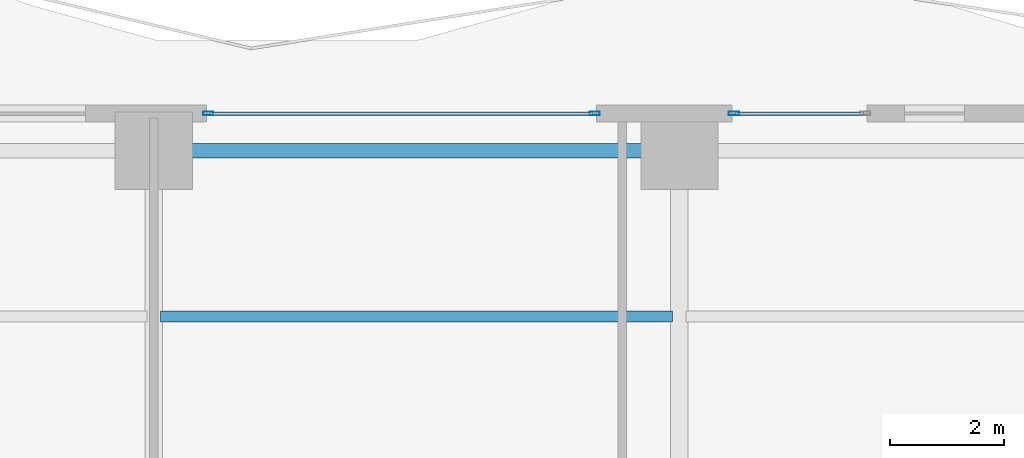
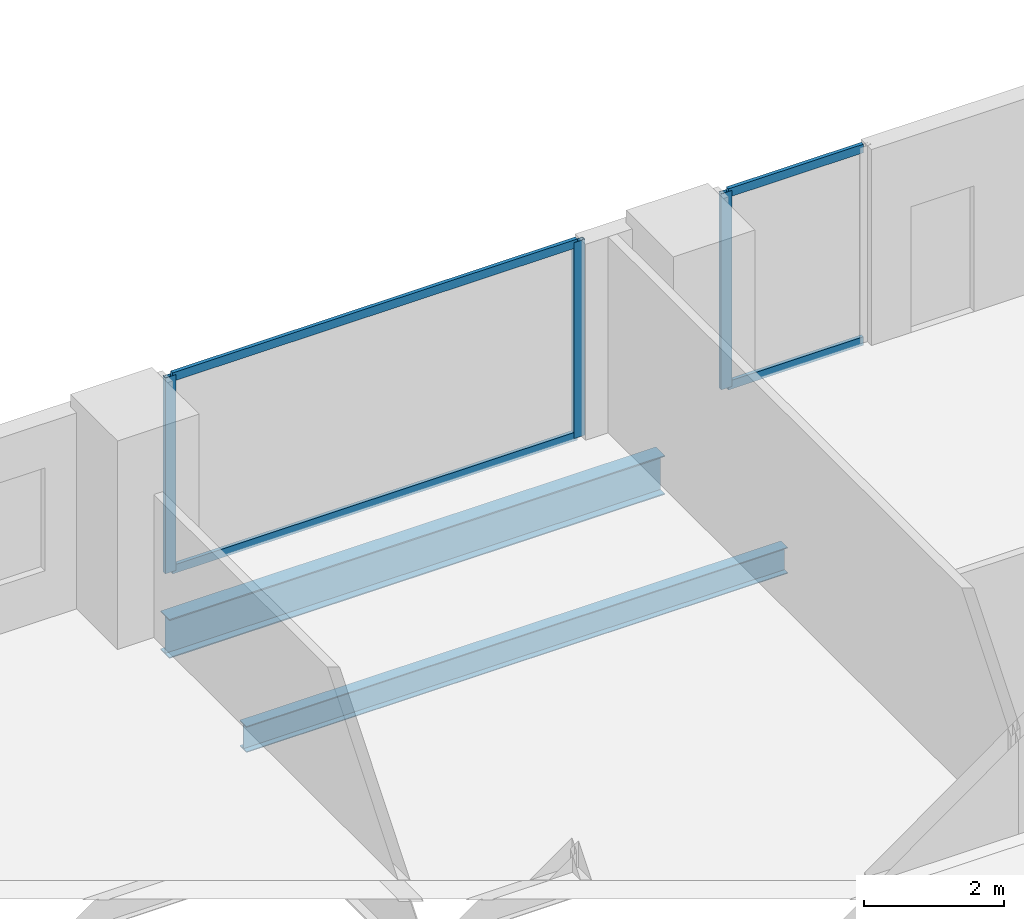
# One storey, part 16 of 27: 7 members, 2 beams, 2 elements without a shape of their own.
"""IFC4 building model written with IfcOpenShell, lengths in metres."""

from ifc_helpers import new_model, si_unit, direction, frame, origin, origin_2d, place, context, subcontext, project, spatial, hollow_rectangle, i_section, extrude, material, layer, layer_set, material_profile, profile_set, type_object, element, aggregate, save


model = new_model("IFC4")

# Units and contexts
model_context = context("Model", 3, precision=1e-05, world=origin(), true_north=direction((0.0, 1.0)))
body_context = subcontext(model_context, "Body", "Model", "MODEL_VIEW")
ifc_project = project(units=[si_unit("LENGTHUNIT", "METRE"), si_unit("AREAUNIT", "SQUARE_METRE"), si_unit("VOLUMEUNIT", "CUBIC_METRE"), si_unit("PLANEANGLEUNIT", "RADIAN"), si_unit("MASSUNIT", "GRAM", prefix="KILO")], contexts=[model_context])

# Site, building, storey
site_placement = place(None, origin())
site = spatial("IfcSite", under=ifc_project, at=site_placement, CompositionType="ELEMENT")
building_placement = place(site_placement, origin())
building = spatial("IfcBuilding", under=site, at=building_placement, Name="Zuhayl Quay Hotel", CompositionType="ELEMENT")
storey_placement = place(building_placement, frame((0.0, 0.0, 124.85009765625)))
storey = spatial("IfcBuildingStorey", under=building, at=storey_placement, Name="L31", CompositionType="ELEMENT", Elevation=124.85009765625)

# Beams
ifc_material_1 = material(Name="Steel ASTM A992 Grade 50", Category="steel")
ifc_material_profile_1 = material_profile(ifc_material_1, i_section(OverallWidth=0.25390625, OverallDepth=0.68310546875, WebThickness=0.012451171875, FlangeThickness=0.018798828125, at=origin_2d()), Name="W27X94")
ifc_profile_set_1 = profile_set([ifc_material_profile_1], Name="Steel ASTM A992 Grade 50")
beam_type_1 = type_object("IfcBeamType", Name="BM_B2_W27X94", PredefinedType="BEAM", material=ifc_profile_set_1)
beam_1_placement = place(storey_placement, frame((4.10009765625, 27.75, -0.5615234375), z_axis=(-1.0, 0.0, 0.0), x_axis=(0.0, -1.0, 0.0)))
element("IfcBeam", 1, at=beam_1_placement, inside=storey, type_object=beam_type_1, Name="L31 Floor Beam RG_L31_08", PredefinedType="BEAM", context=body_context, shape_type="SweptSolid", body=[
    extrude(i_section(OverallWidth=0.25390625, OverallDepth=0.68310546875, WebThickness=0.012451171875, FlangeThickness=0.018798828125, at=origin_2d()), origin(), (0.0, 0.0, 1.0), 8.2001953125),
])
ifc_material_profile_2 = material_profile(ifc_material_1, i_section(OverallWidth=0.18994140625, OverallDepth=0.45703125, WebThickness=0.009033203125, FlangeThickness=0.014404296875, at=origin_2d()), Name="W18X50")
ifc_profile_set_2 = profile_set([ifc_material_profile_2], Name="Steel ASTM A992 Grade 50")
beam_type_2 = type_object("IfcBeamType", Name="BM_J2_W18X50", PredefinedType="JOIST", material=ifc_profile_set_2)
beam_2_placement = place(storey_placement, frame((-4.48095703125, 24.85009765625, -0.448486328125), z_axis=(1.0, 0.0, 0.0), x_axis=(0.0, 1.0, 0.0)))
element("IfcBeam", 2, at=beam_2_placement, inside=storey, type_object=beam_type_2, Name="L31 Floor Beam FJ_L31_4_2", PredefinedType="JOIST", context=body_context, shape_type="SweptSolid", body=[
    extrude(i_section(OverallWidth=0.18994140625, OverallDepth=0.45703125, WebThickness=0.009033203125, FlangeThickness=0.014404296875, at=origin_2d()), origin(), (0.0, 0.0, 1.0), 8.9619140625),
])

# Curtain wall, members
ifc_material_2 = material(Name="Anodised Aluminium 6063-T6", Category="aluminium")
ifc_layer = layer(ifc_material_2, 0.179931640625, Name="Anodised Aluminium 6063-T6", Category="aluminium")
ifc_layer_set = layer_set([ifc_layer], Name="Anodised Aluminium 6063-T6")
curtain_wall_type = type_object("IfcCurtainWallType", Name="CW_SYS_Z2", PredefinedType="USERDEFINED", material=ifc_layer_set)
curtain_wall_1_placement = place(storey_placement, origin())
curtain_wall_1 = element("IfcCurtainWall", 3, at=curtain_wall_1_placement, inside=storey, type_object=curtain_wall_type, Name="L31 Curtain Wall ENV_L31_N_CW2", ObjectType="UNITISED CURTAIN WALL", PredefinedType="USERDEFINED")
ifc_material_3 = material(Name="Black-anodised aluminium 6063-T6", Category="aluminium")
ifc_material_profile_3 = material_profile(ifc_material_3, hollow_rectangle(XDim=0.06494140625, YDim=0.179931640625, WallThickness=0.00341796875, at=origin_2d()), Name="ALU180X65")
ifc_profile_set_3 = profile_set([ifc_material_profile_3], Name="Black-anodised aluminium 6063-T6")
member_type_1 = type_object("IfcMemberType", Name="MB_CW_MUL_180", PredefinedType="MULLION", material=ifc_profile_set_3)
member_1_placement = place(storey_placement, frame((-3.6474609375, 28.39990234375, 0.0), z_axis=(0.0, 0.0, 1.0), x_axis=(0.0, 1.0, 0.0)))
member_1 = element("IfcMember", 4, at=member_1_placement, type_object=member_type_1, Name="CW-Z2 mullion 1", PredefinedType="MULLION", context=body_context, shape_type="SweptSolid", body=[
    extrude(hollow_rectangle(XDim=0.06494140625, YDim=0.179931640625, WallThickness=0.00341796875, at=origin_2d()), origin(), (0.0, 0.0, 1.0), 3.429931640625),
])
member_2_placement = place(storey_placement, frame((3.117431640625, 28.39990234375, 0.0), z_axis=(0.0, 0.0, 1.0), x_axis=(0.0, 1.0, 0.0)))
member_2 = element("IfcMember", 5, at=member_2_placement, type_object=member_type_1, Name="CW-Z2 mullion 2", PredefinedType="MULLION", context=body_context, shape_type="SweptSolid", body=[
    extrude(hollow_rectangle(XDim=0.06494140625, YDim=0.179931640625, WallThickness=0.00341796875, at=origin_2d()), origin(), (0.0, 0.0, 1.0), 3.429931640625),
])

# Curtain wall, member
curtain_wall_2_placement = place(storey_placement, origin())
curtain_wall_2 = element("IfcCurtainWall", 6, at=curtain_wall_2_placement, inside=storey, type_object=curtain_wall_type, Name="L31 Curtain Wall ENV_L31_N_CW3", ObjectType="UNITISED CURTAIN WALL", PredefinedType="USERDEFINED")
member_3_placement = place(storey_placement, frame((5.552490234375, 28.39990234375, 0.0), z_axis=(0.0, 0.0, 1.0), x_axis=(0.0, 1.0, 0.0)))
member_3 = element("IfcMember", 7, at=member_3_placement, type_object=member_type_1, Name="CW-Z2 mullion 1", PredefinedType="MULLION", context=body_context, shape_type="SweptSolid", body=[
    extrude(hollow_rectangle(XDim=0.06494140625, YDim=0.179931640625, WallThickness=0.00341796875, at=origin_2d()), origin(), (0.0, 0.0, 1.0), 3.429931640625),
])

# Member
ifc_material_profile_4 = material_profile(ifc_material_3, hollow_rectangle(XDim=0.06005859375, YDim=0.14990234375, WallThickness=0.00341796875, at=origin_2d()), Name="ALU150X60")
ifc_profile_set_4 = profile_set([ifc_material_profile_4], Name="Black-anodised aluminium 6063-T6")
member_type_2 = type_object("IfcMemberType", Name="MB_CW_TRN_150", PredefinedType="USERDEFINED", material=ifc_profile_set_4)
member_4_placement = place(storey_placement, frame((-3.614990234375, 28.39990234375, 0.02978515625), z_axis=(1.0, 0.0, 0.0), x_axis=(0.0, 1.0, 0.0)))
member_4 = element("IfcMember", 8, at=member_4_placement, type_object=member_type_2, Name="CW-Z2 transom 1.1", ObjectType="TRANSOM", PredefinedType="USERDEFINED", context=body_context, shape_type="SweptSolid", body=[
    extrude(hollow_rectangle(XDim=0.06005859375, YDim=0.14990234375, WallThickness=0.00341796875, at=origin_2d()), origin(), (0.0, 0.0, 1.0), 6.699951171875),
])

member_5_placement = place(storey_placement, frame((-3.614990234375, 28.39990234375, 3.39990234375), z_axis=(1.0, 0.0, 0.0), x_axis=(0.0, 1.0, 0.0)))
member_5 = element("IfcMember", 9, at=member_5_placement, type_object=member_type_2, Name="CW-Z2 transom 1.2", ObjectType="TRANSOM", PredefinedType="USERDEFINED", context=body_context, shape_type="SweptSolid", body=[
    extrude(hollow_rectangle(XDim=0.06005859375, YDim=0.14990234375, WallThickness=0.00341796875, at=origin_2d()), origin(), (0.0, 0.0, 1.0), 6.699951171875),
])

aggregate(curtain_wall_1, [member_1, member_2, member_4, member_5])

member_6_placement = place(storey_placement, frame((5.5849609375, 28.39990234375, 0.02978515625), z_axis=(1.0, 0.0, 0.0), x_axis=(0.0, 1.0, 0.0)))
member_6 = element("IfcMember", 10, at=member_6_placement, type_object=member_type_2, Name="CW-Z2 transom 1.1", ObjectType="TRANSOM", PredefinedType="USERDEFINED", context=body_context, shape_type="SweptSolid", body=[
    extrude(hollow_rectangle(XDim=0.06005859375, YDim=0.14990234375, WallThickness=0.00341796875, at=origin_2d()), origin(), (0.0, 0.0, 1.0), 2.235107421875),
])

member_7_placement = place(storey_placement, frame((5.5849609375, 28.39990234375, 3.39990234375), z_axis=(1.0, 0.0, 0.0), x_axis=(0.0, 1.0, 0.0)))
member_7 = element("IfcMember", 11, at=member_7_placement, type_object=member_type_2, Name="CW-Z2 transom 1.2", ObjectType="TRANSOM", PredefinedType="USERDEFINED", context=body_context, shape_type="SweptSolid", body=[
    extrude(hollow_rectangle(XDim=0.06005859375, YDim=0.14990234375, WallThickness=0.00341796875, at=origin_2d()), origin(), (0.0, 0.0, 1.0), 2.235107421875),
])

aggregate(curtain_wall_2, [member_3, member_6, member_7])

save(model, "model.ifc")
